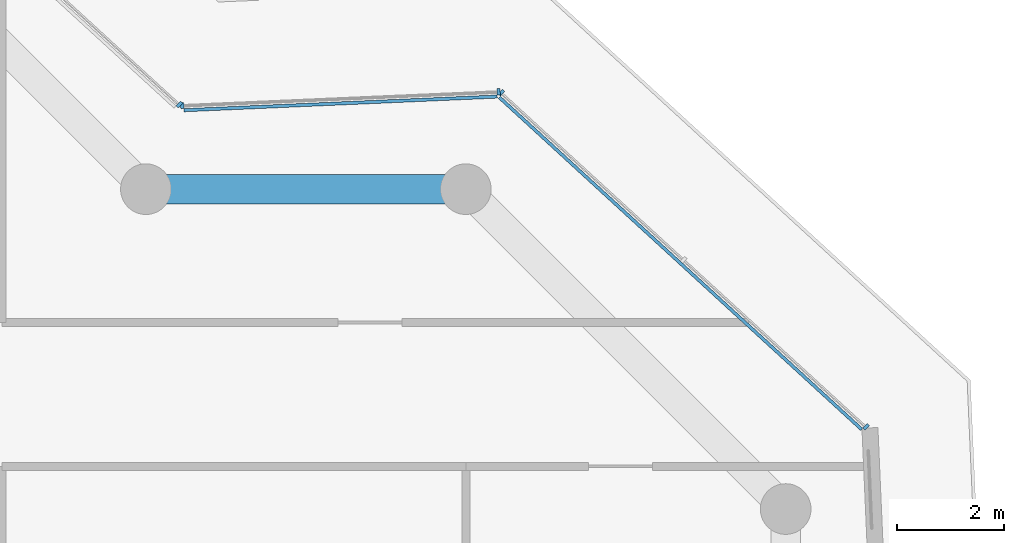
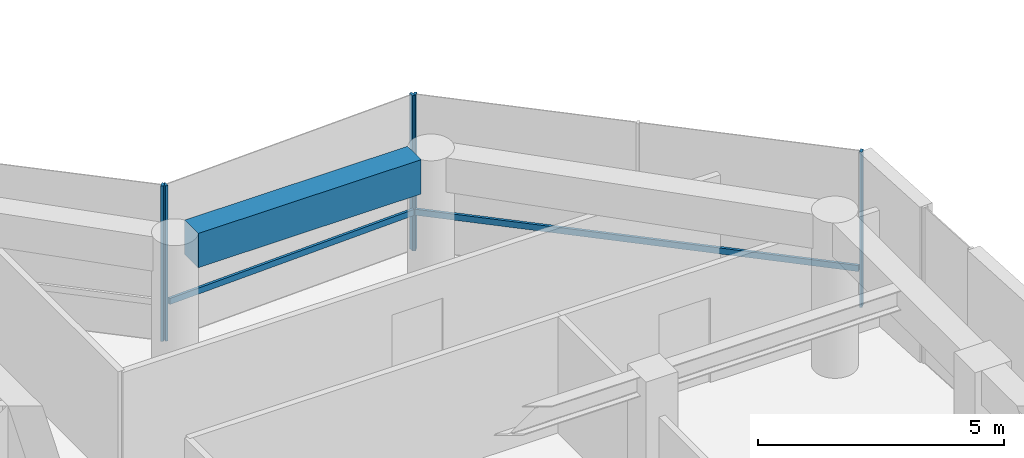
# One storey, part 8 of 21: 7 members, 1 beam, 3 elements without a shape of their own.
"""IFC4 building model written with IfcOpenShell, lengths in metres."""

from ifc_helpers import new_model, si_unit, direction, frame, origin, origin_2d, place, context, subcontext, project, spatial, rectangle, extrude, material, layer, layer_set, material_profile, profile_set, type_object, element, aggregate, save


model = new_model("IFC4")

# Units and contexts
model_context = context("Model", 3, precision=1e-05, world=origin(), true_north=direction((0.0, 1.0)))
body_context = subcontext(model_context, "Body", "Model", "MODEL_VIEW")
ifc_project = project(units=[si_unit("LENGTHUNIT", "METRE"), si_unit("AREAUNIT", "SQUARE_METRE"), si_unit("VOLUMEUNIT", "CUBIC_METRE"), si_unit("PLANEANGLEUNIT", "RADIAN"), si_unit("MASSUNIT", "GRAM", prefix="KILO")], contexts=[model_context])

# Site, building, storey
site_placement = place(None, origin())
site = spatial("IfcSite", under=ifc_project, at=site_placement, CompositionType="ELEMENT")
building_placement = place(site_placement, origin())
building = spatial("IfcBuilding", under=site, at=building_placement, Name="Welwitschia Terrace Campus", CompositionType="ELEMENT")
storey_placement = place(building_placement, frame((0.0, 0.0, 180.199951171875)))
storey = spatial("IfcBuildingStorey", under=building, at=storey_placement, Name="L40", CompositionType="ELEMENT", Elevation=180.199951171875)

# Curtain wall, members
ifc_material_1 = material(Name="Bronze anodised aluminium", Category="aluminium")
ifc_layer = layer(ifc_material_1, 0.1201171875)
ifc_layer_set = layer_set([ifc_layer], Name="Bronze anodised aluminium")
curtain_wall_type = type_object("IfcCurtainWallType", Name="Curtain wall CW2 tower 6000", PredefinedType="NOTDEFINED", material=ifc_layer_set)
curtain_wall_1_placement = place(storey_placement, origin())
curtain_wall_1 = element("IfcCurtainWall", 1, at=curtain_wall_1_placement, inside=storey, type_object=curtain_wall_type, Name="CW L40.4.0", PredefinedType="NOTDEFINED")
ifc_material_2 = material(Name="Bronze anodised aluminium", Category="aluminium")
ifc_material_profile_1 = material_profile(ifc_material_2, rectangle(XDim=0.1201171875, YDim=0.06005859375, at=origin_2d()))
ifc_profile_set_1 = profile_set([ifc_material_profile_1], Name="Bronze anodised aluminium")
member_type_1 = type_object("IfcMemberType", Name="Mullion 60x120", PredefinedType="MULLION", material=ifc_profile_set_1)
member_1_placement = place(storey_placement, frame((43.5087890625, 15.540771484375, 0.0), z_axis=(0.0, 0.0, 1.0), x_axis=(-0.675590207616, -0.73727733681, 0.0)))
member_1 = element("IfcMember", 2, at=member_1_placement, type_object=member_type_1, Name="Mullion L40.4.0.0", PredefinedType="MULLION", context=body_context, shape_type="SweptSolid", body=[
    extrude(rectangle(XDim=0.1201171875, YDim=0.06005859375, at=origin_2d()), origin(), (0.0, 0.0, 1.0), 3.85009765625),
])
member_2_placement = place(storey_placement, frame((36.667724609375, 21.809326171875, 0.0), z_axis=(0.0, 0.0, 1.0), x_axis=(-0.675590207616, -0.73727733681, 0.0)))
member_2 = element("IfcMember", 3, at=member_2_placement, type_object=member_type_1, Name="Mullion L40.4.0.2", PredefinedType="MULLION", context=body_context, shape_type="SweptSolid", body=[
    extrude(rectangle(XDim=0.1201171875, YDim=0.06005859375, at=origin_2d()), origin(), (0.0, 0.0, 1.0), 3.85009765625),
])

curtain_wall_2_placement = place(storey_placement, origin())
curtain_wall_2 = element("IfcCurtainWall", 4, at=curtain_wall_2_placement, inside=storey, type_object=curtain_wall_type, Name="CW L40.5.0", PredefinedType="NOTDEFINED")
member_3_placement = place(storey_placement, frame((36.61572265625, 21.828369140625, 0.0), z_axis=(0.0, 0.0, 1.0), x_axis=(0.043619387365, -0.999048221582, 0.0)))
member_3 = element("IfcMember", 5, at=member_3_placement, type_object=member_type_1, Name="Mullion L40.5.0.0", PredefinedType="MULLION", context=body_context, shape_type="SweptSolid", body=[
    extrude(rectangle(XDim=0.1201171875, YDim=0.06005859375, at=origin_2d()), origin(), (0.0, 0.0, 1.0), 3.85009765625),
])
member_4_placement = place(storey_placement, frame((30.681396484375, 21.569091796875, 0.0), z_axis=(0.0, 0.0, 1.0), x_axis=(0.043619387365, -0.999048221582, 0.0)))
member_4 = element("IfcMember", 6, at=member_4_placement, type_object=member_type_1, Name="Mullion L40.5.0.1", PredefinedType="MULLION", context=body_context, shape_type="SweptSolid", body=[
    extrude(rectangle(XDim=0.1201171875, YDim=0.06005859375, at=origin_2d()), origin(), (0.0, 0.0, 1.0), 3.85009765625),
])

# Curtain wall, member
curtain_wall_3_placement = place(storey_placement, origin())
curtain_wall_3 = element("IfcCurtainWall", 7, at=curtain_wall_3_placement, inside=storey, type_object=curtain_wall_type, Name="CW L40.6.0", PredefinedType="NOTDEFINED")
member_5_placement = place(storey_placement, frame((30.62939453125, 21.588134765625, 0.0), z_axis=(0.0, 0.0, 1.0), x_axis=(-0.675590207616, -0.73727733681, 0.0)))
member_5 = element("IfcMember", 8, at=member_5_placement, type_object=member_type_1, Name="Mullion L40.6.0.0", PredefinedType="MULLION", context=body_context, shape_type="SweptSolid", body=[
    extrude(rectangle(XDim=0.1201171875, YDim=0.06005859375, at=origin_2d()), origin(), (0.0, 0.0, 1.0), 3.85009765625),
])
aggregate(curtain_wall_3, [member_5])

# Beam
ifc_material_3 = material(Name="Concrete C50/60", Category="concrete")
ifc_material_profile_2 = material_profile(ifc_material_3, rectangle(XDim=0.550048828125, YDim=0.85009765625, at=origin_2d()))
ifc_profile_set_2 = profile_set([ifc_material_profile_2], Name="Concrete C50/60")
beam_type = type_object("IfcBeamType", Name="Ring spandrel 550x850", PredefinedType="SPANDREL", material=ifc_profile_set_2)
beam_placement = place(storey_placement, frame((35.612060546875, 20.0, 3.425048828125), z_axis=(-1.0, 0.0, 0.0), x_axis=(0.0, -1.0, 0.0)))
element("IfcBeam", 9, at=beam_placement, inside=storey, type_object=beam_type, Name="Spandrel SP3", PredefinedType="SPANDREL", context=body_context, shape_type="SweptSolid", body=[
    extrude(rectangle(XDim=0.550048828125, YDim=0.85009765625, at=origin_2d()), origin(), (0.0, 0.0, 1.0), 5.22412109375),
])

# Member
ifc_material_4 = material(Name="Bronze anodised aluminium", Category="aluminium")
ifc_material_profile_3 = material_profile(ifc_material_4, rectangle(XDim=0.06005859375, YDim=0.14990234375, at=origin_2d()))
ifc_profile_set_3 = profile_set([ifc_material_profile_3], Name="Bronze anodised aluminium")
member_type_2 = type_object("IfcMemberType", Name="Transom 60x150", PredefinedType="USERDEFINED", material=ifc_profile_set_3)
member_6_placement = place(storey_placement, frame((43.42578125, 15.49462890625, 1.0), z_axis=(-0.737273953923, 0.675593899371, 0.0), x_axis=(-0.675593899371, -0.737273953923, 0.0)))
member_6 = element("IfcMember", 10, at=member_6_placement, type_object=member_type_2, Name="Transom L40.4.0", ObjectType="TRANSOM", PredefinedType="USERDEFINED", context=body_context, shape_type="SweptSolid", body=[
    extrude(rectangle(XDim=0.06005859375, YDim=0.14990234375, at=origin_2d()), origin(), (0.0, 0.0, 1.0), 9.218505859375),
])

aggregate(curtain_wall_1, [member_1, member_2, member_6])

member_7_placement = place(storey_placement, frame((36.589599609375, 21.737060546875, 1.0), z_axis=(-0.99904736363, -0.043639033256, 0.0), x_axis=(0.043639033256, -0.99904736363, 0.0)))
member_7 = element("IfcMember", 11, at=member_7_placement, type_object=member_type_2, Name="Transom L40.5.0", ObjectType="TRANSOM", PredefinedType="USERDEFINED", context=body_context, shape_type="SweptSolid", body=[
    extrude(rectangle(XDim=0.06005859375, YDim=0.14990234375, at=origin_2d()), origin(), (0.0, 0.0, 1.0), 5.8798828125),
])

aggregate(curtain_wall_2, [member_3, member_4, member_7])

save(model, "model.ifc")
